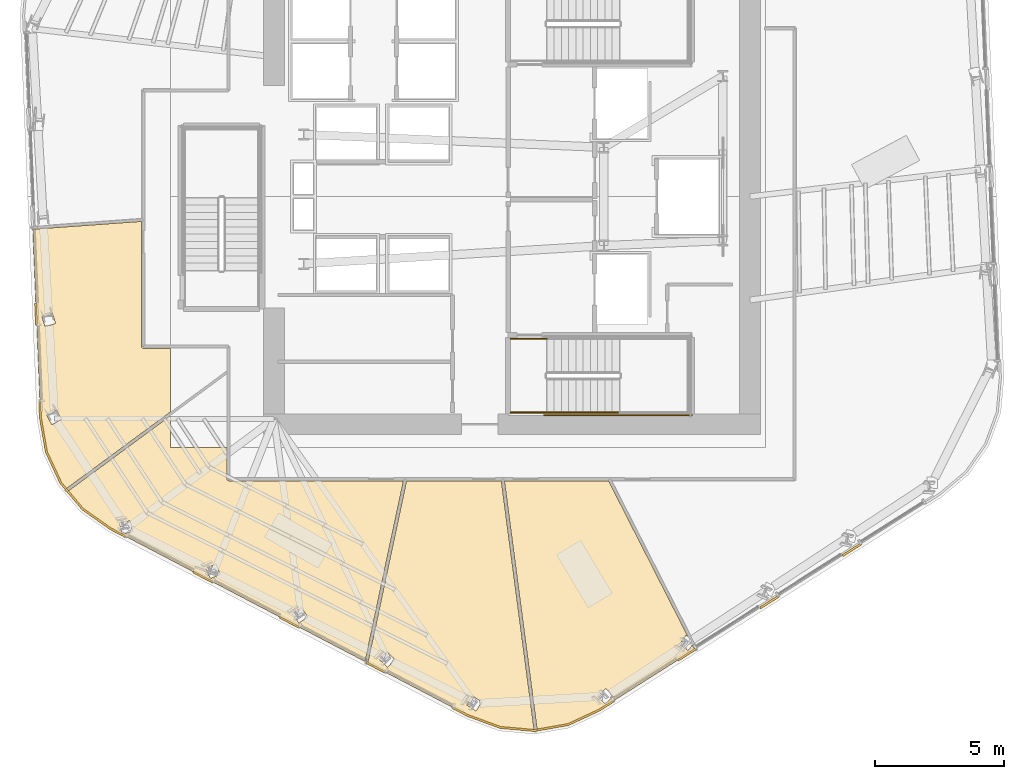
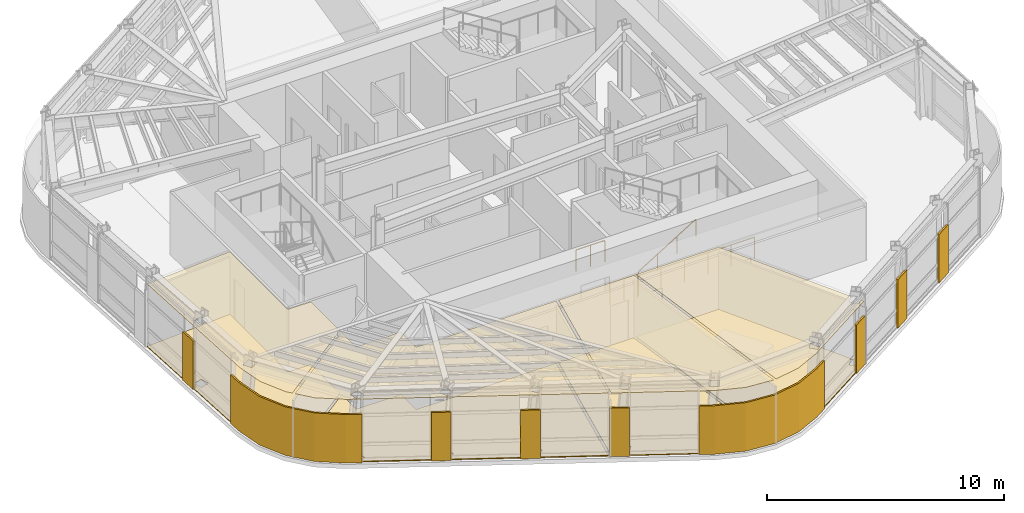
# One storey, part 10 of 15: 17 coverings, 4 railings.
"""IFC4 building model written with IfcOpenShell, lengths in metres."""

import ifcopenshell
import ifcopenshell.guid

model = None  # the IFC model being written
_history = None  # IfcOwnerHistory: only IFC2X3 demands one
_inside = {}  # id of a spatial element -> (the spatial element, [elements in it])
_under = {}  # id of a project, library or spatial element -> (it, [spatial elements below it])
_declared = {}  # id of a project -> (the project, [libraries it declares])
_typed = {}  # id of a type object -> (the type object, [elements of that type])
_made_of = {}  # id of a material, layer set ... -> (it, [elements and type objects made of it])


def new_model(schema):
    """Start an empty IFC model of exactly this schema.

    Asked for "IFC4X3", IfcOpenShell would pick the latest addendum, in which some entities
    have other attributes; the version numbers below select the first issue.
    IFC2X3 requires an IfcOwnerHistory on every rooted entity: one is made here for all.
    """
    global model, _history
    if schema == "IFC4X3":
        model = ifcopenshell.file(schema_version=(4, 3, 0, 0))
    else:
        model = ifcopenshell.file(schema=schema)
    _inside.clear()
    _under.clear()
    _declared.clear()
    _typed.clear()
    _made_of.clear()
    _history = None
    if model.schema == "IFC2X3":
        org = make("IfcOrganization", Name="unknown")
        user = make(
            "IfcPersonAndOrganization",
            ThePerson=make("IfcPerson", FamilyName="unknown"),
            TheOrganization=org,
        )
        app = make(
            "IfcApplication",
            ApplicationDeveloper=org,
            Version="unknown",
            ApplicationFullName="unknown",
            ApplicationIdentifier="unknown",
        )
        _history = make(
            "IfcOwnerHistory",
            OwningUser=user,
            OwningApplication=app,
            ChangeAction="ADDED",
            CreationDate=0,
        )
    return model


def make(cls, **values):
    """One entity of the class cls with the attributes given. An attribute that is None is left unset."""
    return model.create_entity(
        cls, **{name: value for name, value in values.items() if value is not None}
    )


def rooted(cls, **values):
    """An entity with a GlobalId (a new one), such as an element, a storey or a relation."""
    return make(cls, GlobalId=ifcopenshell.guid.new(), OwnerHistory=_history, **values)


def si_unit(unit_type, name, prefix=None):
    """IfcSIUnit, for example si_unit("LENGTHUNIT", "METRE", prefix="MILLI")."""
    return make("IfcSIUnit", UnitType=unit_type, Prefix=prefix, Name=name)


def assignment(units):
    """IfcUnitAssignment: the units of a project."""
    return None if units is None else make("IfcUnitAssignment", Units=units)


def point(xyz):
    """IfcCartesianPoint."""
    return None if xyz is None else make("IfcCartesianPoint", Coordinates=xyz)


def direction(xyz):
    """IfcDirection."""
    return None if xyz is None else make("IfcDirection", DirectionRatios=xyz)


def frame(location, z_axis=None, x_axis=None):
    """IfcAxis2Placement3D, a coordinate frame: its origin and axes. An axis left out is left unset."""
    return make(
        "IfcAxis2Placement3D",
        Location=point(location),
        Axis=direction(z_axis),
        RefDirection=direction(x_axis),
    )


def frame_2d(location, x_axis=None):
    """IfcAxis2Placement2D, a coordinate frame in the plane: its origin and x axis."""
    return make(
        "IfcAxis2Placement2D", Location=point(location), RefDirection=direction(x_axis)
    )


def origin():
    """The frame at (0, 0, 0) with its axes left unset."""
    return frame((0.0, 0.0, 0.0))


def origin_2d():
    """The frame at (0, 0) in the plane with its x axis left unset."""
    return frame_2d((0.0, 0.0))


def place(relative_to, where):
    """IfcLocalPlacement: puts the frame where relative to a parent placement (None: the world)."""
    return make(
        "IfcLocalPlacement", PlacementRelTo=relative_to, RelativePlacement=where
    )


def context(
    kind, dimensions, precision=None, world=None, true_north=None, identifier=None
):
    """IfcGeometricRepresentationContext, for example the 3D "Model" context."""
    return make(
        "IfcGeometricRepresentationContext",
        ContextIdentifier=identifier,
        ContextType=kind,
        CoordinateSpaceDimension=dimensions,
        Precision=precision,
        WorldCoordinateSystem=world,
        TrueNorth=true_north,
    )


def subcontext(parent, identifier, kind, view, scale=None):
    """IfcGeometricRepresentationSubContext, for example "Body" below "Model"."""
    return make(
        "IfcGeometricRepresentationSubContext",
        ContextIdentifier=identifier,
        ContextType=kind,
        ParentContext=parent,
        TargetScale=scale,
        TargetView=view,
    )


def project(units=None, contexts=None):
    """IfcProject with its units and contexts."""
    return rooted(
        "IfcProject",
        Name="project",
        RepresentationContexts=contexts,
        UnitsInContext=assignment(units),
    )


def spatial(cls, under=None, at=None, **own):
    """A site, building, storey or space (cls), placed at a placement, below another one or the project."""
    s = rooted(cls, ObjectPlacement=at, **own)
    if under is not None:
        _under.setdefault(under.id(), (under, []))[1].append(s)
    return s


def polyline(points):
    """IfcPolyline through the points."""
    return make("IfcPolyline", Points=[point(p) for p in points])


def profile(cls, at=None, kind="AREA", **sizes):
    """A parametric profile (cls). Its sizes go by their IFC names, for example OverallWidth=200.0."""
    return make(cls, ProfileType=kind, Position=at, **sizes)


def circle(**sizes):
    """IfcCircleProfileDef."""
    return profile("IfcCircleProfileDef", **sizes)


def outline(outer, holes=None, kind="AREA"):
    """IfcArbitraryClosedProfileDef: a profile drawn as a closed curve; with holes, ...WithVoids."""
    if holes is None:
        return make("IfcArbitraryClosedProfileDef", ProfileType=kind, OuterCurve=outer)
    return make(
        "IfcArbitraryProfileDefWithVoids",
        ProfileType=kind,
        OuterCurve=outer,
        InnerCurves=holes,
    )


def extrude(swept, where, along, depth):
    """IfcExtrudedAreaSolid: the profile swept, set in the frame where, extruded along a direction by depth."""
    return make(
        "IfcExtrudedAreaSolid",
        SweptArea=swept,
        Position=where,
        ExtrudedDirection=direction(along),
        Depth=depth,
    )


def shape(context_of_items, identifier, shape_type, items):
    """IfcShapeRepresentation: the items that make up one representation, for example the "Body"."""
    return make(
        "IfcShapeRepresentation",
        ContextOfItems=context_of_items,
        RepresentationIdentifier=identifier,
        RepresentationType=shape_type,
        Items=items,
    )


def material(Name=None, Category=None):
    """IfcMaterial."""
    return make("IfcMaterial", Name=Name, Category=Category)


def layer(
    of_material, thickness, ventilated=None, Name=None, Category=None, Priority=None
):
    """IfcMaterialLayer: one layer of a wall or slab, of a material (None: an air gap)."""
    return make(
        "IfcMaterialLayer",
        Material=of_material,
        LayerThickness=thickness,
        IsVentilated=ventilated,
        Name=Name,
        Category=Category,
        Priority=Priority,
    )


def layer_set(layers, Name=None):
    """IfcMaterialLayerSet."""
    return make("IfcMaterialLayerSet", MaterialLayers=layers, LayerSetName=Name)


def made_of(thing, what):
    """Note that an element or type object is made of a material, layer set ...; save() writes the relation."""
    if what is not None:
        _made_of.setdefault(what.id(), (what, []))[1].append(thing)
    return thing


def type_object(cls, material=None, **own):
    """A type object (cls), such as IfcWallType, which elements share."""
    return made_of(rooted(cls, **own), material)


def element(
    cls,
    number,
    at=None,
    inside=None,
    cuts=None,
    type_object=None,
    material=None,
    context=None,
    identifier="Body",
    shape_type=None,
    held_by="IfcProductDefinitionShape",
    body=None,
    shapes=None,
    **own,
):
    """One element of the class cls, such as IfcWall. Its Tag is "e" and its number.

    at: its placement. inside: the storey or other place that contains it. cuts: it is an
    opening in that element (IfcRelVoidsElement). A single representation is given by context,
    identifier, shape_type and body (its items); several are given by shapes. held_by: the class
    of the entity that holds the representations. save() writes the other relations.
    """
    e = rooted(cls, Tag="e%d" % number, ObjectPlacement=at, **own)
    if body is not None:
        shapes = [shape(context, identifier, shape_type, body)]
    if shapes is not None:
        e.Representation = make(held_by, Representations=shapes)
    if inside is not None:
        _inside.setdefault(inside.id(), (inside, []))[1].append(e)
    if cuts is not None:
        rooted(
            "IfcRelVoidsElement", RelatingBuildingElement=cuts, RelatedOpeningElement=e
        )
    if type_object is not None:
        _typed.setdefault(type_object.id(), (type_object, []))[1].append(e)
    return made_of(e, material)


def aggregate(whole, parts):
    """IfcRelAggregates: a whole, such as a stair, and the parts it consists of."""
    return rooted("IfcRelAggregates", RelatingObject=whole, RelatedObjects=parts)


def save(model, path):
    """Write the relations noted so far, then the file.

    IfcRelAggregates (storeys below a building ...), IfcRelContainedInSpatialStructure (elements
    in a storey), IfcRelDefinesByType, IfcRelAssociatesMaterial and IfcRelDeclares: one each for
    every whole, place, type object, material and project.
    """
    for whole, parts in _under.values():
        aggregate(whole, parts)
    for where, things in _inside.values():
        rooted(
            "IfcRelContainedInSpatialStructure",
            RelatedElements=things,
            RelatingStructure=where,
        )
    for kind, things in _typed.values():
        rooted("IfcRelDefinesByType", RelatedObjects=things, RelatingType=kind)
    for what, things in _made_of.values():
        rooted("IfcRelAssociatesMaterial", RelatedObjects=things, RelatingMaterial=what)
    for by, libraries in _declared.values():
        rooted("IfcRelDeclares", RelatingContext=by, RelatedDefinitions=libraries)
    model.write(path)


model = new_model("IFC4")

# Units and contexts
model_context = context("Model", 3, precision=1e-05, world=origin(), true_north=direction((0.0, 1.0)))
body_context = subcontext(model_context, "Body", "Model", "MODEL_VIEW")
ifc_project = project(units=[si_unit("LENGTHUNIT", "METRE"), si_unit("AREAUNIT", "SQUARE_METRE"), si_unit("VOLUMEUNIT", "CUBIC_METRE"), si_unit("PLANEANGLEUNIT", "RADIAN"), si_unit("MASSUNIT", "GRAM", prefix="KILO")], contexts=[model_context])

# Site, building, storey
site_placement = place(None, origin())
site = spatial("IfcSite", under=ifc_project, at=site_placement, CompositionType="ELEMENT")
building_placement = place(site_placement, origin())
building = spatial("IfcBuilding", under=site, at=building_placement, Name="Valkerne Bourse Tower", CompositionType="ELEMENT")
storey_placement = place(building_placement, frame((0.0, 0.0, 162.800048828125)))
storey = spatial("IfcBuildingStorey", under=building, at=storey_placement, Name="L41", CompositionType="ELEMENT", Elevation=162.800048828125)

# Coverings
ifc_material_1 = material(Name="Mineral Fiber Acoustic Ceiling Tile", Category="acoustic")
ifc_layer_1 = layer(ifc_material_1, 0.02490234375)
ifc_layer_set_1 = layer_set([ifc_layer_1], Name="Mineral Fiber Acoustic Ceiling Tile")
covering_type_1 = type_object("IfcCoveringType", Name="COV-CEIL-ACT", PredefinedType="CEILING", material=ifc_layer_set_1)
covering_1_placement = place(storey_placement, frame((0.0, 0.0, 3.22998046875)))
element("IfcCovering", 1, at=covering_1_placement, inside=storey, type_object=covering_type_1, Name="L41 Suspended Ceiling 04", PredefinedType="CEILING", context=body_context, shape_type="SweptSolid", body=[
    extrude(outline(polyline([(28.580322265625, 18.441162109375), (28.274658203125, 25.735107421875), (32.48095703125, 26.038330078125), (32.48095703125, 21.199462890625), (32.490478515625, 21.164794921875), (32.514892578125, 21.140380859375), (32.549560546875, 21.131103515625), (33.60009765625, 21.131103515625), (33.60009765625, 18.6748046875), (29.561279296875, 15.699462890625), (29.3642578125, 15.93505859375), (28.808837890625, 17.1318359375), (28.580322265625, 18.441162109375)]), holes=[polyline([(29.38671875, 18.381591796875), (29.38525390625, 18.38427734375), (29.1923828125, 18.74951171875), (28.81689453125, 18.551513671875), (28.818115234375, 18.548828125), (29.010986328125, 18.18359375), (29.38671875, 18.381591796875)]), polyline([(29.156494140625, 22.097412109375), (29.03564453125, 22.49267578125), (28.62939453125, 22.36865234375), (28.630126953125, 22.365966796875), (28.7509765625, 21.970947265625), (29.156982421875, 22.094970703125), (29.156494140625, 22.097412109375)])]), origin(), (0.0, 0.0, 1.0), 0.02490234375),
])
covering_2_placement = place(storey_placement, frame((0.0, 0.0, 3.22998046875)))
element("IfcCovering", 2, at=covering_2_placement, inside=storey, type_object=covering_type_1, Name="L41 Suspended Ceiling 05", PredefinedType="CEILING", context=body_context, shape_type="SweptSolid", body=[
    extrude(outline(polyline([(41.227294921875, 8.967529296875), (42.724609375, 16.010986328125), (46.38720703125, 16.010986328125), (47.65673828125, 6.368408203125), (46.350341796875, 6.485107421875), (45.102294921875, 6.94189453125), (41.227294921875, 8.967529296875)]), holes=[polyline([(45.631591796875, 7.468505859375), (45.2734375, 7.694580078125), (45.2705078125, 7.694580078125), (45.050537109375, 7.343994140625), (45.40869140625, 7.117919921875), (45.41162109375, 7.11767578125), (45.631591796875, 7.468505859375)]), polyline([(41.963623046875, 9.404052734375), (41.961181640625, 9.40478515625), (41.678955078125, 9.1015625), (41.988525390625, 8.812255859375), (41.9912109375, 8.8115234375), (42.273193359375, 9.11474609375), (41.963623046875, 9.404052734375)])]), origin(), (0.0, 0.0, 1.0), 0.02490234375),
])
covering_3_placement = place(storey_placement, frame((0.0, 0.0, 3.22998046875)))
element("IfcCovering", 3, at=covering_3_placement, inside=storey, type_object=covering_type_1, Name="L41 Suspended Ceiling 06", PredefinedType="CEILING", context=body_context, shape_type="SweptSolid", body=[
    extrude(outline(polyline([(47.773193359375, 6.38671875), (46.506103515625, 16.010986328125), (50.532958984375, 16.010986328125), (53.598876953125, 9.993896484375), (53.530517578125, 10.04443359375), (53.528076171875, 10.04345703125), (53.276611328125, 9.70263671875), (53.609130859375, 9.455810546875), (53.611572265625, 9.456787109375), (53.765869140625, 9.666015625), (53.8544921875, 9.4921875), (50.170166015625, 7.154296875), (48.964599609375, 6.5947265625), (47.773193359375, 6.38671875)]), holes=[polyline([(50.710205078125, 7.6787109375), (50.43017578125, 7.9833984375), (50.427490234375, 7.98291015625), (50.116455078125, 7.6953125), (50.396484375, 7.390625), (50.3994140625, 7.39111328125), (50.710205078125, 7.6787109375)])]), origin(), (0.0, 0.0, 1.0), 0.02490234375),
])
covering_4_placement = place(storey_placement, frame((0.0, 0.0, 3.22998046875)))
element("IfcCovering", 4, at=covering_4_placement, inside=storey, type_object=covering_type_1, Name="L41 Suspended Ceiling 07", PredefinedType="CEILING", context=body_context, shape_type="SweptSolid", body=[
    extrude(outline(polyline([(29.63720703125, 15.60888671875), (33.60009765625, 18.5283203125), (33.60009765625, 17.300048828125), (35.781005859375, 17.300048828125), (35.781005859375, 16.07958984375), (35.790283203125, 16.044921875), (35.814208984375, 16.02099609375), (35.849365234375, 16.010986328125), (42.60400390625, 16.010986328125), (41.118896484375, 9.0244140625), (31.298095703125, 14.158447265625), (30.210693359375, 14.922607421875), (29.63720703125, 15.60888671875)]), holes=[polyline([(38.6591796875, 11.1025390625), (38.65673828125, 11.103759765625), (38.31884765625, 10.8642578125), (38.56298828125, 10.51806640625), (38.5654296875, 10.516845703125), (38.9033203125, 10.75634765625), (38.6591796875, 11.1025390625)]), polyline([(35.352783203125, 12.78857421875), (35.3505859375, 12.790283203125), (34.970947265625, 12.62451171875), (35.139404296875, 12.23583984375), (35.1416015625, 12.234130859375), (35.521240234375, 12.39990234375), (35.352783203125, 12.78857421875)]), polyline([(32.130126953125, 14.05224609375), (32.037841796875, 14.465576171875), (32.035888671875, 14.4677734375), (31.632080078125, 14.376220703125), (31.724365234375, 13.962890625), (31.726318359375, 13.960693359375), (32.130126953125, 14.05224609375)])]), origin(), (0.0, 0.0, 1.0), 0.02490234375),
])
ifc_material_2 = material(Name="Bronze Anodised Aluminium AA 6063-T6", Category="aluminium")
ifc_layer_2 = layer(ifc_material_2, 0.06005859375)
ifc_layer_set_2 = layer_set([ifc_layer_2], Name="Bronze Anodised Aluminium AA 6063-T6")
covering_type_2 = type_object("IfcCoveringType", Name="COV-CRN-ALUM", PredefinedType="CLADDING", material=ifc_layer_set_2)
covering_5_placement = place(storey_placement, origin())
element("IfcCovering", 5, at=covering_5_placement, inside=storey, type_object=covering_type_2, Name="L41 Wind-Shaped Corner Aluminium Cladding 02", PredefinedType="CLADDING", context=body_context, shape_type="SweptSolid", body=[
    extrude(outline(polyline([(59.59912109375, 13.0859375), (59.55615234375, 13.1533203125), (60.265380859375, 13.603515625), (60.308349609375, 13.535888671875), (59.59912109375, 13.0859375)])), origin(), (0.0, 0.0, 1.0), 2.5),
])
covering_6_placement = place(storey_placement, origin())
element("IfcCovering", 6, at=covering_6_placement, inside=storey, type_object=covering_type_2, Name="L41 Wind-Shaped Corner Aluminium Cladding 03", PredefinedType="CLADDING", context=body_context, shape_type="SweptSolid", body=[
    extrude(outline(polyline([(56.4150390625, 11.065185546875), (56.372314453125, 11.1328125), (57.081298828125, 11.5830078125), (57.124267578125, 11.515380859375), (56.4150390625, 11.065185546875)])), origin(), (0.0, 0.0, 1.0), 2.5),
])
covering_7_placement = place(storey_placement, origin())
element("IfcCovering", 7, at=covering_7_placement, inside=storey, type_object=covering_type_2, Name="L41 Wind-Shaped Corner Aluminium Cladding 04", PredefinedType="CLADDING", context=body_context, shape_type="SweptSolid", body=[
    extrude(outline(polyline([(53.231201171875, 9.044677734375), (53.188232421875, 9.1123046875), (53.8974609375, 9.562255859375), (53.9404296875, 9.494873046875), (53.231201171875, 9.044677734375)])), origin(), (0.0, 0.0, 1.0), 2.5),
])
covering_8_placement = place(storey_placement, origin())
element("IfcCovering", 8, at=covering_8_placement, inside=storey, type_object=covering_type_2, Name="L41 Wind-Shaped Corner Aluminium Cladding 05", PredefinedType="CLADDING", context=body_context, shape_type="SweptSolid", body=[
    extrude(outline(polyline([(50.19140625, 7.115478515625), (48.977783203125, 6.55224609375), (47.66650390625, 6.323486328125), (46.3408203125, 6.44189453125), (45.08447265625, 6.901611328125), (44.491455078125, 7.211669921875), (44.528564453125, 7.282470703125), (45.11669921875, 6.974853515625), (46.3583984375, 6.5205078125), (47.6630859375, 6.404052734375), (48.953857421875, 6.62939453125), (50.15283203125, 7.185791015625), (50.71337890625, 7.541748046875), (50.75634765625, 7.47412109375), (50.19140625, 7.115478515625)])), origin(), (0.0, 0.0, 1.0), 2.5),
])
covering_9_placement = place(storey_placement, origin())
element("IfcCovering", 9, at=covering_9_placement, inside=storey, type_object=covering_type_2, Name="L41 Wind-Shaped Corner Aluminium Cladding 06", PredefinedType="CLADDING", context=body_context, shape_type="SweptSolid", body=[
    extrude(outline(polyline([(41.1494140625, 8.95849609375), (41.1865234375, 9.029541015625), (41.930908203125, 8.640380859375), (41.89404296875, 8.569580078125), (41.1494140625, 8.95849609375)])), origin(), (0.0, 0.0, 1.0), 2.5),
])
covering_10_placement = place(storey_placement, origin())
element("IfcCovering", 10, at=covering_10_placement, inside=storey, type_object=covering_type_2, Name="L41 Wind-Shaped Corner Aluminium Cladding 07", PredefinedType="CLADDING", context=body_context, shape_type="SweptSolid", body=[
    extrude(outline(polyline([(37.8076171875, 10.705810546875), (37.8447265625, 10.776611328125), (38.589111328125, 10.387451171875), (38.552001953125, 10.316650390625), (37.8076171875, 10.705810546875)])), origin(), (0.0, 0.0, 1.0), 2.5),
])
covering_11_placement = place(storey_placement, origin())
element("IfcCovering", 11, at=covering_11_placement, inside=storey, type_object=covering_type_2, Name="L41 Wind-Shaped Corner Aluminium Cladding 08", PredefinedType="CLADDING", context=body_context, shape_type="SweptSolid", body=[
    extrude(outline(polyline([(34.4658203125, 12.452880859375), (34.502685546875, 12.523681640625), (35.247314453125, 12.134521484375), (35.210205078125, 12.063720703125), (34.4658203125, 12.452880859375)])), origin(), (0.0, 0.0, 1.0), 2.5),
])
covering_12_placement = place(storey_placement, origin())
element("IfcCovering", 12, at=covering_12_placement, inside=storey, type_object=covering_type_2, Name="L41 Wind-Shaped Corner Aluminium Cladding 09", PredefinedType="CLADDING", context=body_context, shape_type="SweptSolid", body=[
    extrude(outline(polyline([(31.275146484375, 14.120849609375), (30.180908203125, 14.889892578125), (29.326904296875, 15.9111328125), (28.766357421875, 17.11865234375), (28.536376953125, 18.436279296875), (28.50830078125, 19.105224609375), (28.58837890625, 19.1083984375), (28.6162109375, 18.445068359375), (28.843505859375, 17.142822265625), (29.39501953125, 15.95458984375), (30.2353515625, 14.949462890625), (31.31689453125, 14.189208984375), (31.905517578125, 13.881591796875), (31.868408203125, 13.810791015625), (31.275146484375, 14.120849609375)])), origin(), (0.0, 0.0, 1.0), 2.5),
])
covering_13_placement = place(storey_placement, origin())
element("IfcCovering", 13, at=covering_13_placement, inside=storey, type_object=covering_type_2, Name="L41 Wind-Shaped Corner Aluminium Cladding 10", PredefinedType="CLADDING", context=body_context, shape_type="SweptSolid", body=[
    extrude(outline(polyline([(28.3505859375, 22.872802734375), (28.430419921875, 22.876220703125), (28.465576171875, 22.036865234375), (28.3857421875, 22.033447265625), (28.3505859375, 22.872802734375)])), origin(), (0.0, 0.0, 1.0), 2.5),
])
ifc_material_3 = material(Name="Galvanised Painted Steel", Category="steel")
ifc_layer_3 = layer(ifc_material_3, 0.044921875)
ifc_layer_set_3 = layer_set([ifc_layer_3], Name="Galvanised Painted Steel")
covering_type_3 = type_object("IfcCoveringType", Name="COV-FLR-RAF", PredefinedType="FLOORING", material=ifc_layer_set_3)
covering_14_placement = place(storey_placement, origin())
element("IfcCovering", 14, at=covering_14_placement, inside=storey, type_object=covering_type_3, Name="L41 Floor Finish 06", PredefinedType="FLOORING", context=body_context, shape_type="SweptSolid", body=[
    extrude(outline(polyline([(47.773193359375, 6.38671875), (46.506103515625, 16.010986328125), (50.532958984375, 16.010986328125), (53.598876953125, 9.993896484375), (53.530517578125, 10.04443359375), (53.528076171875, 10.04345703125), (53.276611328125, 9.70263671875), (53.609130859375, 9.455810546875), (53.611572265625, 9.456787109375), (53.765869140625, 9.666015625), (53.8544921875, 9.4921875), (50.170166015625, 7.154296875), (48.964599609375, 6.5947265625), (47.773193359375, 6.38671875)]), holes=[polyline([(50.710205078125, 7.6787109375), (50.43017578125, 7.9833984375), (50.427490234375, 7.98291015625), (50.116455078125, 7.6953125), (50.396484375, 7.390625), (50.3994140625, 7.39111328125), (50.710205078125, 7.6787109375)])]), origin(), (0.0, 0.0, 1.0), 0.044921875),
])
covering_15_placement = place(storey_placement, origin())
element("IfcCovering", 15, at=covering_15_placement, inside=storey, type_object=covering_type_3, Name="L41 Floor Finish 07", PredefinedType="FLOORING", context=body_context, shape_type="SweptSolid", body=[
    extrude(outline(polyline([(29.63720703125, 15.60888671875), (33.60009765625, 18.5283203125), (33.60009765625, 17.300048828125), (35.781005859375, 17.300048828125), (35.781005859375, 16.07958984375), (35.790283203125, 16.044921875), (35.814208984375, 16.02099609375), (35.849365234375, 16.010986328125), (42.60400390625, 16.010986328125), (41.118896484375, 9.0244140625), (31.298095703125, 14.158447265625), (30.210693359375, 14.922607421875), (29.63720703125, 15.60888671875)]), holes=[polyline([(38.6591796875, 11.1025390625), (38.65673828125, 11.103759765625), (38.31884765625, 10.8642578125), (38.56298828125, 10.51806640625), (38.5654296875, 10.516845703125), (38.9033203125, 10.75634765625), (38.6591796875, 11.1025390625)]), polyline([(35.352783203125, 12.78857421875), (35.3505859375, 12.790283203125), (34.970947265625, 12.62451171875), (35.139404296875, 12.23583984375), (35.1416015625, 12.234130859375), (35.521240234375, 12.39990234375), (35.352783203125, 12.78857421875)]), polyline([(32.130126953125, 14.05224609375), (32.037841796875, 14.465576171875), (32.035888671875, 14.4677734375), (31.632080078125, 14.376220703125), (31.724365234375, 13.962890625), (31.726318359375, 13.960693359375), (32.130126953125, 14.05224609375)])]), origin(), (0.0, 0.0, 1.0), 0.044921875),
])
ifc_material_4 = material(Name="Polished Granite Stone", Category="masonry")
ifc_layer_4 = layer(ifc_material_4, 0.030029296875)
ifc_layer_set_4 = layer_set([ifc_layer_4], Name="Polished Granite Stone")
covering_type_4 = type_object("IfcCoveringType", Name="COV-FLR-TERRAZZO", PredefinedType="FLOORING", material=ifc_layer_set_4)
covering_16_placement = place(storey_placement, origin())
element("IfcCovering", 16, at=covering_16_placement, inside=storey, type_object=covering_type_4, Name="L41 Floor Finish 04", PredefinedType="FLOORING", context=body_context, shape_type="SweptSolid", body=[
    extrude(outline(polyline([(28.580322265625, 18.441162109375), (28.274658203125, 25.735107421875), (32.48095703125, 26.038330078125), (32.48095703125, 21.199462890625), (32.490478515625, 21.164794921875), (32.514892578125, 21.140380859375), (32.549560546875, 21.131103515625), (33.60009765625, 21.131103515625), (33.60009765625, 18.6748046875), (29.561279296875, 15.699462890625), (29.3642578125, 15.93505859375), (28.808837890625, 17.1318359375), (28.580322265625, 18.441162109375)]), holes=[polyline([(29.38671875, 18.381591796875), (29.38525390625, 18.38427734375), (29.1923828125, 18.74951171875), (28.81689453125, 18.551513671875), (28.818115234375, 18.548828125), (29.010986328125, 18.18359375), (29.38671875, 18.381591796875)]), polyline([(29.156494140625, 22.097412109375), (29.03564453125, 22.49267578125), (28.62939453125, 22.36865234375), (28.630126953125, 22.365966796875), (28.7509765625, 21.970947265625), (29.156982421875, 22.094970703125), (29.156494140625, 22.097412109375)])]), origin(), (0.0, 0.0, 1.0), 0.030029296875),
])
covering_17_placement = place(storey_placement, origin())
element("IfcCovering", 17, at=covering_17_placement, inside=storey, type_object=covering_type_4, Name="L41 Floor Finish 05", PredefinedType="FLOORING", context=body_context, shape_type="SweptSolid", body=[
    extrude(outline(polyline([(41.227294921875, 8.967529296875), (42.724609375, 16.010986328125), (46.38720703125, 16.010986328125), (47.65673828125, 6.368408203125), (46.350341796875, 6.485107421875), (45.102294921875, 6.94189453125), (41.227294921875, 8.967529296875)]), holes=[polyline([(45.631591796875, 7.468505859375), (45.2734375, 7.694580078125), (45.2705078125, 7.694580078125), (45.050537109375, 7.343994140625), (45.40869140625, 7.117919921875), (45.41162109375, 7.11767578125), (45.631591796875, 7.468505859375)]), polyline([(41.963623046875, 9.404052734375), (41.961181640625, 9.40478515625), (41.678955078125, 9.1015625), (41.988525390625, 8.812255859375), (41.9912109375, 8.8115234375), (42.273193359375, 9.11474609375), (41.963623046875, 9.404052734375)])]), origin(), (0.0, 0.0, 1.0), 0.030029296875),
])

# Railings
railing_type_1 = type_object("IfcRailingType", Name="RLG-ST-GUARD-1120", PredefinedType="GUARDRAIL", material=ifc_material_3)
for number, where, name in (
    (18, (46.75, 18.64990234375, 0.0), "L41 ST-1 stair guard 8"),
    (19, (46.75, 21.5, 0.0), "L41 ST-1 stair guard 9"),
):
    element("IfcRailing", number, at=place(storey_placement, frame(where)), inside=storey, type_object=railing_type_1, Name=name, PredefinedType="GUARDRAIL", context=body_context, shape_type="SweptSolid", body=[
        extrude(circle(Radius=0.02392578125, at=origin_2d()), frame((0.0, 0.0, 1.09619140625), z_axis=(1.0, 0.0, 0.0), x_axis=(0.0, 1.0, 0.0)), (0.0, 0.0, 1.0), 1.39990234375),
        extrude(circle(Radius=0.02099609375, at=origin_2d()), origin(), (0.0, 0.0, 1.0), 1.072021484375),
        extrude(circle(Radius=0.02099609375, at=origin_2d()), frame((0.699951171875, 0.0, 0.0)), (0.0, 0.0, 1.0), 1.072021484375),
        extrude(circle(Radius=0.02099609375, at=origin_2d()), frame((1.39990234375, 0.0, 0.0)), (0.0, 0.0, 1.0), 1.072021484375),
    ])
railing_1_placement = place(storey_placement, frame((48.050048828125, 18.550048828125, 0.0)))
element("IfcRailing", 20, at=railing_1_placement, inside=storey, type_object=railing_type_1, Name="L41 ST-1 stair guard 10", PredefinedType="GUARDRAIL", context=body_context, shape_type="SweptSolid", body=[
    extrude(circle(Radius=0.02392578125, at=origin_2d()), frame((0.0, 0.0, 1.09619140625), z_axis=(1.0, 0.0, 0.0), x_axis=(0.0, 1.0, 0.0)), (0.0, 0.0, 1.0), 5.699951171875),
    extrude(circle(Radius=0.02099609375, at=origin_2d()), origin(), (0.0, 0.0, 1.0), 1.072021484375),
    extrude(circle(Radius=0.02099609375, at=origin_2d()), frame((1.139892578125, 0.0, 0.0)), (0.0, 0.0, 1.0), 1.072021484375),
    extrude(circle(Radius=0.02099609375, at=origin_2d()), frame((2.280029296875, 0.0, 0.0)), (0.0, 0.0, 1.0), 1.072021484375),
    extrude(circle(Radius=0.02099609375, at=origin_2d()), frame((3.419921875, 0.0, 0.0)), (0.0, 0.0, 1.0), 1.072021484375),
    extrude(circle(Radius=0.02099609375, at=origin_2d()), frame((4.56005859375, 0.0, 0.0)), (0.0, 0.0, 1.0), 1.072021484375),
    extrude(circle(Radius=0.02099609375, at=origin_2d()), frame((5.699951171875, 0.0, 0.0)), (0.0, 0.0, 1.0), 1.072021484375),
])
ifc_material_5 = material(Name="Stainless Steel AISI 316", Category="steel")
railing_type_2 = type_object("IfcRailingType", Name="RLG-ST-HANDRAIL-900", PredefinedType="HANDRAIL", material=ifc_material_5)
railing_2_placement = place(storey_placement, frame((48.14990234375, 18.64990234375, 0.345458984375)))
element("IfcRailing", 21, at=railing_2_placement, inside=storey, type_object=railing_type_2, Name="L41 ST-1 stair handrail 1", PredefinedType="HANDRAIL", context=body_context, shape_type="SweptSolid", body=[
    extrude(circle(Radius=0.02392578125, at=origin_2d()), frame((0.0, 0.0, 0.8759765625), z_axis=(0.851089632645, 0.0, 0.525020415988), x_axis=(0.0, 1.0, 0.0)), (0.0, 0.0, 1.0), 3.2900390625),
    extrude(circle(Radius=0.02099609375, at=origin_2d()), origin(), (0.0, 0.0, 1.0), 0.851806640625),
    extrude(circle(Radius=0.02099609375, at=origin_2d()), frame((0.933349609375, 0.0, 0.57568359375)), (0.0, 0.0, 1.0), 0.851806640625),
    extrude(circle(Radius=0.02099609375, at=origin_2d()), frame((1.86669921875, 0.0, 1.151611328125)), (0.0, 0.0, 1.0), 0.851806640625),
    extrude(circle(Radius=0.02099609375, at=origin_2d()), frame((2.800048828125, 0.0, 1.727294921875)), (0.0, 0.0, 1.0), 0.851806640625),
])

save(model, "model.ifc")
